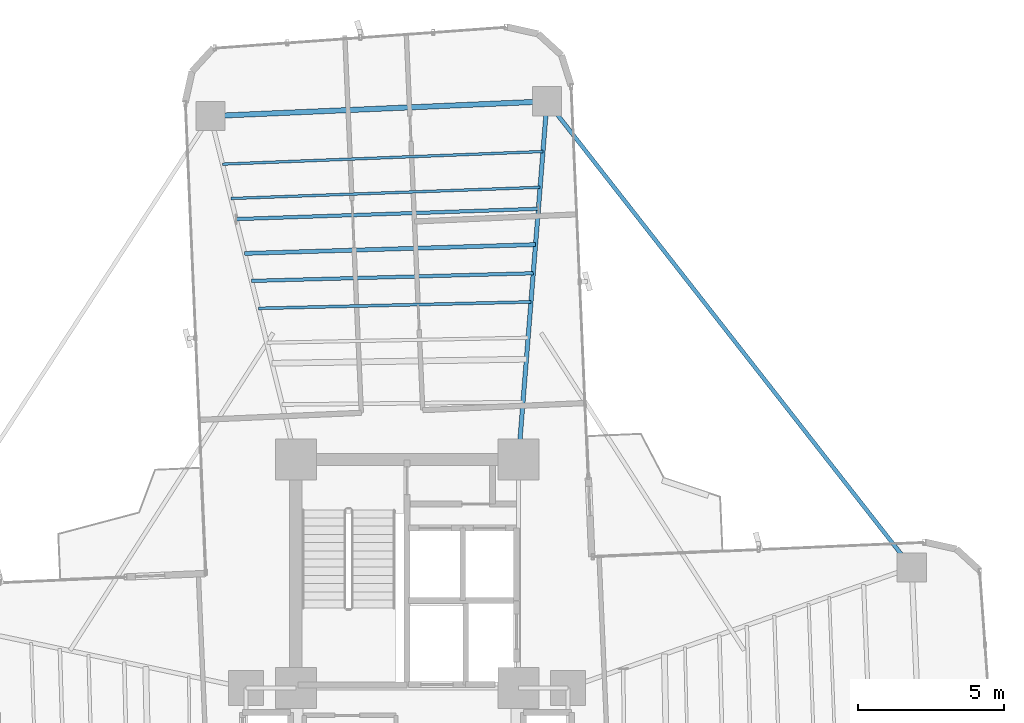
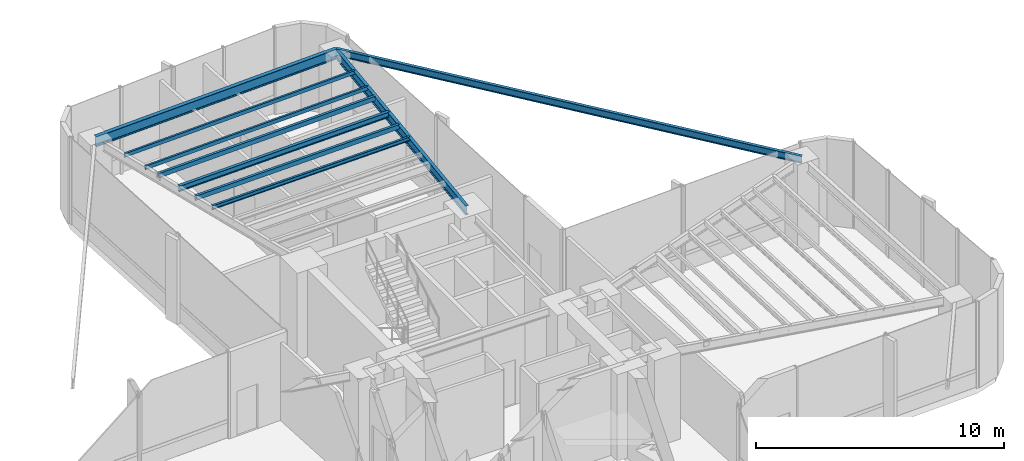
# One storey, part 12 of 21: 9 beams.
"""IFC4 building model written with IfcOpenShell, lengths in metres."""

import ifcopenshell
import ifcopenshell.guid

model = None  # the IFC model being written
_history = None  # IfcOwnerHistory: only IFC2X3 demands one
_inside = {}  # id of a spatial element -> (the spatial element, [elements in it])
_under = {}  # id of a project, library or spatial element -> (it, [spatial elements below it])
_declared = {}  # id of a project -> (the project, [libraries it declares])
_typed = {}  # id of a type object -> (the type object, [elements of that type])
_made_of = {}  # id of a material, layer set ... -> (it, [elements and type objects made of it])


def new_model(schema):
    """Start an empty IFC model of exactly this schema.

    Asked for "IFC4X3", IfcOpenShell would pick the latest addendum, in which some entities
    have other attributes; the version numbers below select the first issue.
    IFC2X3 requires an IfcOwnerHistory on every rooted entity: one is made here for all.
    """
    global model, _history
    if schema == "IFC4X3":
        model = ifcopenshell.file(schema_version=(4, 3, 0, 0))
    else:
        model = ifcopenshell.file(schema=schema)
    _inside.clear()
    _under.clear()
    _declared.clear()
    _typed.clear()
    _made_of.clear()
    _history = None
    if model.schema == "IFC2X3":
        org = make("IfcOrganization", Name="unknown")
        user = make(
            "IfcPersonAndOrganization",
            ThePerson=make("IfcPerson", FamilyName="unknown"),
            TheOrganization=org,
        )
        app = make(
            "IfcApplication",
            ApplicationDeveloper=org,
            Version="unknown",
            ApplicationFullName="unknown",
            ApplicationIdentifier="unknown",
        )
        _history = make(
            "IfcOwnerHistory",
            OwningUser=user,
            OwningApplication=app,
            ChangeAction="ADDED",
            CreationDate=0,
        )
    return model


def make(cls, **values):
    """One entity of the class cls with the attributes given. An attribute that is None is left unset."""
    return model.create_entity(
        cls, **{name: value for name, value in values.items() if value is not None}
    )


def rooted(cls, **values):
    """An entity with a GlobalId (a new one), such as an element, a storey or a relation."""
    return make(cls, GlobalId=ifcopenshell.guid.new(), OwnerHistory=_history, **values)


def si_unit(unit_type, name, prefix=None):
    """IfcSIUnit, for example si_unit("LENGTHUNIT", "METRE", prefix="MILLI")."""
    return make("IfcSIUnit", UnitType=unit_type, Prefix=prefix, Name=name)


def assignment(units):
    """IfcUnitAssignment: the units of a project."""
    return None if units is None else make("IfcUnitAssignment", Units=units)


def point(xyz):
    """IfcCartesianPoint."""
    return None if xyz is None else make("IfcCartesianPoint", Coordinates=xyz)


def direction(xyz):
    """IfcDirection."""
    return None if xyz is None else make("IfcDirection", DirectionRatios=xyz)


def frame(location, z_axis=None, x_axis=None):
    """IfcAxis2Placement3D, a coordinate frame: its origin and axes. An axis left out is left unset."""
    return make(
        "IfcAxis2Placement3D",
        Location=point(location),
        Axis=direction(z_axis),
        RefDirection=direction(x_axis),
    )


def frame_2d(location, x_axis=None):
    """IfcAxis2Placement2D, a coordinate frame in the plane: its origin and x axis."""
    return make(
        "IfcAxis2Placement2D", Location=point(location), RefDirection=direction(x_axis)
    )


def origin():
    """The frame at (0, 0, 0) with its axes left unset."""
    return frame((0.0, 0.0, 0.0))


def origin_2d():
    """The frame at (0, 0) in the plane with its x axis left unset."""
    return frame_2d((0.0, 0.0))


def place(relative_to, where):
    """IfcLocalPlacement: puts the frame where relative to a parent placement (None: the world)."""
    return make(
        "IfcLocalPlacement", PlacementRelTo=relative_to, RelativePlacement=where
    )


def context(
    kind, dimensions, precision=None, world=None, true_north=None, identifier=None
):
    """IfcGeometricRepresentationContext, for example the 3D "Model" context."""
    return make(
        "IfcGeometricRepresentationContext",
        ContextIdentifier=identifier,
        ContextType=kind,
        CoordinateSpaceDimension=dimensions,
        Precision=precision,
        WorldCoordinateSystem=world,
        TrueNorth=true_north,
    )


def subcontext(parent, identifier, kind, view, scale=None):
    """IfcGeometricRepresentationSubContext, for example "Body" below "Model"."""
    return make(
        "IfcGeometricRepresentationSubContext",
        ContextIdentifier=identifier,
        ContextType=kind,
        ParentContext=parent,
        TargetScale=scale,
        TargetView=view,
    )


def project(units=None, contexts=None):
    """IfcProject with its units and contexts."""
    return rooted(
        "IfcProject",
        Name="project",
        RepresentationContexts=contexts,
        UnitsInContext=assignment(units),
    )


def spatial(cls, under=None, at=None, **own):
    """A site, building, storey or space (cls), placed at a placement, below another one or the project."""
    s = rooted(cls, ObjectPlacement=at, **own)
    if under is not None:
        _under.setdefault(under.id(), (under, []))[1].append(s)
    return s


def profile(cls, at=None, kind="AREA", **sizes):
    """A parametric profile (cls). Its sizes go by their IFC names, for example OverallWidth=200.0."""
    return make(cls, ProfileType=kind, Position=at, **sizes)


def hollow_rectangle(**sizes):
    """IfcRectangleHollowProfileDef."""
    return profile("IfcRectangleHollowProfileDef", **sizes)


def i_section(**sizes):
    """IfcIShapeProfileDef."""
    return profile("IfcIShapeProfileDef", **sizes)


def extrude(swept, where, along, depth):
    """IfcExtrudedAreaSolid: the profile swept, set in the frame where, extruded along a direction by depth."""
    return make(
        "IfcExtrudedAreaSolid",
        SweptArea=swept,
        Position=where,
        ExtrudedDirection=direction(along),
        Depth=depth,
    )


def shape(context_of_items, identifier, shape_type, items):
    """IfcShapeRepresentation: the items that make up one representation, for example the "Body"."""
    return make(
        "IfcShapeRepresentation",
        ContextOfItems=context_of_items,
        RepresentationIdentifier=identifier,
        RepresentationType=shape_type,
        Items=items,
    )


def source(mapping_origin, context_of_items, identifier, shape_type, items):
    """IfcRepresentationMap: a shape defined once, which mapped items show again and again."""
    return make(
        "IfcRepresentationMap",
        MappingOrigin=mapping_origin,
        MappedRepresentation=shape(context_of_items, identifier, shape_type, items),
    )


def transform(
    local_origin,
    x_axis=None,
    y_axis=None,
    z_axis=None,
    scale=None,
    scale2=None,
    scale3=None,
    uniform=True,
):
    """IfcCartesianTransformationOperator3D, or its non-uniform kind. x_axis, y_axis, z_axis: its Axis1, 2, 3."""
    if uniform:
        return make(
            "IfcCartesianTransformationOperator3D",
            Axis1=direction(x_axis),
            Axis2=direction(y_axis),
            LocalOrigin=point(local_origin),
            Scale=scale,
            Axis3=direction(z_axis),
        )
    return make(
        "IfcCartesianTransformationOperator3DnonUniform",
        Axis1=direction(x_axis),
        Axis2=direction(y_axis),
        LocalOrigin=point(local_origin),
        Scale=scale,
        Axis3=direction(z_axis),
        Scale2=scale2,
        Scale3=scale3,
    )


def mapped(mapping_source, mapping_target):
    """IfcMappedItem: shows the shape of a source again, moved by a transform."""
    return make(
        "IfcMappedItem", MappingSource=mapping_source, MappingTarget=mapping_target
    )


def material(Name=None, Category=None):
    """IfcMaterial."""
    return make("IfcMaterial", Name=Name, Category=Category)


def material_profile(
    of_material, cross_section, Name=None, Category=None, Priority=None
):
    """IfcMaterialProfile: a cross section and its material."""
    return make(
        "IfcMaterialProfile",
        Name=Name,
        Material=of_material,
        Profile=cross_section,
        Priority=Priority,
        Category=Category,
    )


def profile_set(profiles, Name=None, composite=None):
    """IfcMaterialProfileSet."""
    return make(
        "IfcMaterialProfileSet",
        Name=Name,
        MaterialProfiles=profiles,
        CompositeProfile=composite,
    )


def made_of(thing, what):
    """Note that an element or type object is made of a material, layer set ...; save() writes the relation."""
    if what is not None:
        _made_of.setdefault(what.id(), (what, []))[1].append(thing)
    return thing


def type_object(cls, material=None, **own):
    """A type object (cls), such as IfcWallType, which elements share."""
    return made_of(rooted(cls, **own), material)


def element(
    cls,
    number,
    at=None,
    inside=None,
    cuts=None,
    type_object=None,
    material=None,
    context=None,
    identifier="Body",
    shape_type=None,
    held_by="IfcProductDefinitionShape",
    body=None,
    shapes=None,
    **own,
):
    """One element of the class cls, such as IfcWall. Its Tag is "e" and its number.

    at: its placement. inside: the storey or other place that contains it. cuts: it is an
    opening in that element (IfcRelVoidsElement). A single representation is given by context,
    identifier, shape_type and body (its items); several are given by shapes. held_by: the class
    of the entity that holds the representations. save() writes the other relations.
    """
    e = rooted(cls, Tag="e%d" % number, ObjectPlacement=at, **own)
    if body is not None:
        shapes = [shape(context, identifier, shape_type, body)]
    if shapes is not None:
        e.Representation = make(held_by, Representations=shapes)
    if inside is not None:
        _inside.setdefault(inside.id(), (inside, []))[1].append(e)
    if cuts is not None:
        rooted(
            "IfcRelVoidsElement", RelatingBuildingElement=cuts, RelatedOpeningElement=e
        )
    if type_object is not None:
        _typed.setdefault(type_object.id(), (type_object, []))[1].append(e)
    return made_of(e, material)


def aggregate(whole, parts):
    """IfcRelAggregates: a whole, such as a stair, and the parts it consists of."""
    return rooted("IfcRelAggregates", RelatingObject=whole, RelatedObjects=parts)


def save(model, path):
    """Write the relations noted so far, then the file.

    IfcRelAggregates (storeys below a building ...), IfcRelContainedInSpatialStructure (elements
    in a storey), IfcRelDefinesByType, IfcRelAssociatesMaterial and IfcRelDeclares: one each for
    every whole, place, type object, material and project.
    """
    for whole, parts in _under.values():
        aggregate(whole, parts)
    for where, things in _inside.values():
        rooted(
            "IfcRelContainedInSpatialStructure",
            RelatedElements=things,
            RelatingStructure=where,
        )
    for kind, things in _typed.values():
        rooted("IfcRelDefinesByType", RelatedObjects=things, RelatingType=kind)
    for what, things in _made_of.values():
        rooted("IfcRelAssociatesMaterial", RelatedObjects=things, RelatingMaterial=what)
    for by, libraries in _declared.values():
        rooted("IfcRelDeclares", RelatingContext=by, RelatedDefinitions=libraries)
    model.write(path)


model = new_model("IFC4")

# Units and contexts
model_context = context("Model", 3, precision=1e-05, world=origin(), true_north=direction((0.0, 1.0)))
body_context = subcontext(model_context, "Body", "Model", "MODEL_VIEW")
ifc_project = project(units=[si_unit("LENGTHUNIT", "METRE"), si_unit("AREAUNIT", "SQUARE_METRE"), si_unit("VOLUMEUNIT", "CUBIC_METRE"), si_unit("PLANEANGLEUNIT", "RADIAN"), si_unit("MASSUNIT", "GRAM", prefix="KILO")], contexts=[model_context])

# Site, building, storey
site_placement = place(None, origin())
site = spatial("IfcSite", under=ifc_project, at=site_placement, CompositionType="ELEMENT")
building_placement = place(site_placement, origin())
building = spatial("IfcBuilding", under=site, at=building_placement, Name="Sahyath Konkavel Grand Hotel", CompositionType="ELEMENT")
storey_placement = place(building_placement, frame((0.0, 0.0, 79.0)))
storey = spatial("IfcBuildingStorey", under=building, at=storey_placement, Name="L21", CompositionType="ELEMENT", Elevation=79.0)

# Beams
ifc_material = material(Name="Steel E350", Category="steel")
ifc_material_profile_1 = material_profile(ifc_material, i_section(OverallWidth=0.14990234375, OverallDepth=0.449951171875, WebThickness=0.009521484375, FlangeThickness=0.017333984375, FilletRadius=0.014892578125, at=origin_2d()), Name="ISMB 450")
ifc_profile_set_1 = profile_set([ifc_material_profile_1], Name="Steel E350")
beam_type_1 = type_object("IfcBeamType", Name="BM-ISMB450", PredefinedType="BEAM", material=ifc_profile_set_1)
shared_shape_1 = source(origin(), body_context, "Body", "SweptSolid", [
    extrude(i_section(OverallWidth=0.14990234375, OverallDepth=0.449951171875, WebThickness=0.009521484375, FlangeThickness=0.017333984375, FilletRadius=0.014892578125, at=origin_2d()), origin(), (0.0, 0.0, 1.0), 12.2685546875),
])
beam_1_placement = place(storey_placement, frame((3.800048828125, 10.199951171875, 4.034912109375), z_axis=(0.079558563357, 0.996830193662, 0.0), x_axis=(-0.996830193662, 0.079558563357, 0.0)))
element("IfcBeam", 1, at=beam_1_placement, inside=storey, type_object=beam_type_1, Name="L21 Cruciform Radial Girder NA", PredefinedType="BEAM", context=body_context, shape_type="MappedRepresentation", body=[
    mapped(shared_shape_1, transform((0.0, 0.0, 0.0), scale=1.0)),
])
ifc_material_profile_2 = material_profile(ifc_material, i_section(OverallWidth=0.179931640625, OverallDepth=0.5, WebThickness=0.01025390625, FlangeThickness=0.01708984375, FilletRadius=0.01708984375, at=origin_2d()), Name="ISMB 500")
ifc_profile_set_2 = profile_set([ifc_material_profile_2], Name="Steel E350")
beam_type_2 = type_object("IfcBeamType", Name="BM-ISMB500", PredefinedType="BEAM", material=ifc_profile_set_2)
shared_shape_2 = source(origin(), body_context, "Body", "SweptSolid", [
    extrude(i_section(OverallWidth=0.179931640625, OverallDepth=0.5, WebThickness=0.01025390625, FlangeThickness=0.01708984375, FilletRadius=0.01708984375, at=origin_2d()), origin(), (0.0, 0.0, 1.0), 11.5),
])
beam_2_placement = place(storey_placement, frame((4.776123046875, 22.4296875, 4.010009765625), z_axis=(-0.99904788879, -0.043627008892, 0.0), x_axis=(0.043627008892, -0.99904788879, 0.0)))
element("IfcBeam", 2, at=beam_2_placement, inside=storey, type_object=beam_type_2, Name="L21 Wing Tip Edge Beam N", PredefinedType="BEAM", context=body_context, shape_type="MappedRepresentation", body=[
    mapped(shared_shape_2, transform((0.0, 0.0, 0.0), scale=1.0)),
])
ifc_material_profile_3 = material_profile(ifc_material, i_section(OverallWidth=0.139892578125, OverallDepth=0.35009765625, WebThickness=0.008056640625, FlangeThickness=0.01416015625, FilletRadius=0.013916015625, at=origin_2d()), Name="ISMB 350")
ifc_profile_set_3 = profile_set([ifc_material_profile_3], Name="Steel E350")
beam_type_3 = type_object("IfcBeamType", Name="BM-ISMB350", PredefinedType="BEAM", material=ifc_profile_set_3)
shared_shape_3 = source(origin(), body_context, "Body", "SweptSolid", [
    extrude(i_section(OverallWidth=0.139892578125, OverallDepth=0.35009765625, WebThickness=0.008056640625, FlangeThickness=0.01416015625, FilletRadius=0.013916015625, at=origin_2d()), origin(), (0.0, 0.0, 1.0), 20.215576171875),
])
beam_3_placement = place(storey_placement, frame((17.232421875, 6.5078125, 4.0849609375), z_axis=(-0.616176369687, 0.787608203004, 0.0), x_axis=(-0.787608203004, -0.616176369687, 0.0)))
element("IfcBeam", 3, at=beam_3_placement, inside=storey, type_object=beam_type_3, Name="L21 Re-Entrant Tie Beam NE", PredefinedType="BEAM", context=body_context, shape_type="MappedRepresentation", body=[
    mapped(shared_shape_3, transform((0.0, 0.0, 0.0), scale=1.0)),
])
ifc_material_profile_4 = material_profile(ifc_material, hollow_rectangle(XDim=0.1201171875, YDim=0.219970703125, WallThickness=0.010009765625, at=origin_2d()), Name="RHS 220x120x10")
ifc_profile_set_4 = profile_set([ifc_material_profile_4], Name="Steel E350")
beam_type_4 = type_object("IfcBeamType", Name="BM-RHS220", PredefinedType="BEAM", material=ifc_profile_set_4)
shared_shape_4 = source(origin(), body_context, "Body", "SweptSolid", [
    extrude(hollow_rectangle(XDim=0.1201171875, YDim=0.219970703125, WallThickness=0.010009765625, at=origin_2d()), origin(), (0.0, 0.0, 1.0), 9.625732421875),
])
beam_4_placement = place(storey_placement, frame((4.3076171875, 16.559326171875, 4.14990234375), z_axis=(-0.999633060528, -0.027087714933, 0.0), x_axis=(0.027087714933, -0.999633060528, 0.0)))
element("IfcBeam", 4, at=beam_4_placement, inside=storey, type_object=beam_type_4, Name="L21 Secondary Floor Beam N-2", PredefinedType="BEAM", context=body_context, shape_type="MappedRepresentation", body=[
    mapped(shared_shape_4, transform((0.0, 0.0, 0.0), scale=1.0)),
])
ifc_material_profile_5 = material_profile(ifc_material, hollow_rectangle(XDim=0.090087890625, YDim=0.179931640625, WallThickness=0.008056640625, at=origin_2d()), Name="RHS 180x90x8")
ifc_profile_set_5 = profile_set([ifc_material_profile_5], Name="Steel E350")
beam_type_5 = type_object("IfcBeamType", Name="BM-RHS180", PredefinedType="BEAM", material=ifc_profile_set_5)
shared_shape_5 = source(origin(), body_context, "Body", "SweptSolid", [
    extrude(hollow_rectangle(XDim=0.090087890625, YDim=0.179931640625, WallThickness=0.008056640625, at=origin_2d()), origin(), (0.0, 0.0, 1.0), 10.562744140625),
])
beam_5_placement = place(storey_placement, frame((4.5419921875, 19.49462890625, 4.169921875), z_axis=(-0.999348077295, -0.036102914095, 0.0), x_axis=(0.036102914095, -0.999348077295, 0.0)))
element("IfcBeam", 5, at=beam_5_placement, inside=storey, type_object=beam_type_5, Name="L21 Secondary Floor Beam N-3", PredefinedType="BEAM", context=body_context, shape_type="MappedRepresentation", body=[
    mapped(shared_shape_5, transform((0.0, 0.0, 0.0), scale=1.0)),
])
ifc_material_profile_6 = material_profile(ifc_material, i_section(OverallWidth=0.10009765625, OverallDepth=0.199951171875, WebThickness=0.005615234375, FlangeThickness=0.0107421875, FilletRadius=0.010986328125, at=origin_2d()), Name="ISMB 200")
ifc_profile_set_6 = profile_set([ifc_material_profile_6], Name="Steel E350")
beam_type_6 = type_object("IfcBeamType", Name="BM-ISMB200", PredefinedType="BEAM", material=ifc_profile_set_6)
shared_shape_6 = source(origin(), body_context, "Body", "SweptSolid", [
    extrude(i_section(OverallWidth=0.10009765625, OverallDepth=0.199951171875, WebThickness=0.005615234375, FlangeThickness=0.0107421875, FilletRadius=0.010986328125, at=origin_2d()), origin(), (0.0, 0.0, 1.0), 9.31396484375),
])
beam_6_placement = place(storey_placement, frame((4.2294921875, 15.5810546875, 4.159912109375), z_axis=(-0.999719207624, -0.023696115884, 0.0), x_axis=(0.023696115884, -0.999719207624, 0.0)))
element("IfcBeam", 6, at=beam_6_placement, inside=storey, type_object=beam_type_6, Name="L21 Composite Deck Sub-Beam N-3", PredefinedType="BEAM", context=body_context, shape_type="MappedRepresentation", body=[
    mapped(shared_shape_6, transform((0.0, 0.0, 0.0), scale=1.0)),
])
ifc_material_profile_7 = material_profile(ifc_material, i_section(OverallWidth=0.139892578125, OverallDepth=0.27490234375, WebThickness=0.00634765625, FlangeThickness=0.0087890625, FilletRadius=0.012939453125, at=origin_2d()), Name="ISLB 275")
ifc_profile_set_7 = profile_set([ifc_material_profile_7], Name="Steel E350")
beam_type_7 = type_object("IfcBeamType", Name="BM-ISLB275", PredefinedType="BEAM", material=ifc_profile_set_7)
shared_shape_7 = source(origin(), body_context, "Body", "SweptSolid", [
    extrude(i_section(OverallWidth=0.139892578125, OverallDepth=0.27490234375, WebThickness=0.00634765625, FlangeThickness=0.0087890625, FilletRadius=0.012939453125, at=origin_2d()), origin(), (0.0, 0.0, 1.0), 9.93798828125),
])
beam_7_placement = place(storey_placement, frame((4.3857421875, 17.537841796875, 4.12255859375), z_axis=(-0.999541134068, -0.030290614159, 0.0), x_axis=(0.030290614159, -0.999541134068, 0.0)))
element("IfcBeam", 7, at=beam_7_placement, inside=storey, type_object=beam_type_7, Name="L21 Composite Deck Sub-Beam N-4", PredefinedType="BEAM", context=body_context, shape_type="MappedRepresentation", body=[
    mapped(shared_shape_7, transform((0.0, 0.0, 0.0), scale=1.0)),
])
shared_shape_8 = source(origin(), body_context, "Body", "SweptSolid", [
    extrude(hollow_rectangle(XDim=0.1201171875, YDim=0.219970703125, WallThickness=0.010009765625, at=origin_2d()), origin(), (0.0, 0.0, 1.0), 10.328369140625),
])
beam_8_placement = place(storey_placement, frame((4.4833984375, 18.7607421875, 4.14990234375), z_axis=(-0.999422142561, -0.033990895225, 0.0), x_axis=(0.033990895225, -0.999422142561, 0.0)))
element("IfcBeam", 8, at=beam_8_placement, inside=storey, type_object=beam_type_4, Name="L21 Composite Deck Sub-Beam N-5", PredefinedType="BEAM", context=body_context, shape_type="MappedRepresentation", body=[
    mapped(shared_shape_8, transform((0.0, 0.0, 0.0), scale=1.0)),
])
shared_shape_9 = source(origin(), body_context, "Body", "SweptSolid", [
    extrude(hollow_rectangle(XDim=0.090087890625, YDim=0.179931640625, WallThickness=0.008056640625, at=origin_2d()), origin(), (0.0, 0.0, 1.0), 10.953125),
])
beam_9_placement = place(storey_placement, frame((4.639404296875, 20.717529296875, 4.169921875), z_axis=(-0.99922407579, -0.039385864996, 0.0), x_axis=(0.039385864996, -0.99922407579, 0.0)))
element("IfcBeam", 9, at=beam_9_placement, inside=storey, type_object=beam_type_5, Name="L21 Composite Deck Sub-Beam N-6", PredefinedType="BEAM", context=body_context, shape_type="MappedRepresentation", body=[
    mapped(shared_shape_9, transform((0.0, 0.0, 0.0), scale=1.0)),
])

save(model, "model.ifc")
